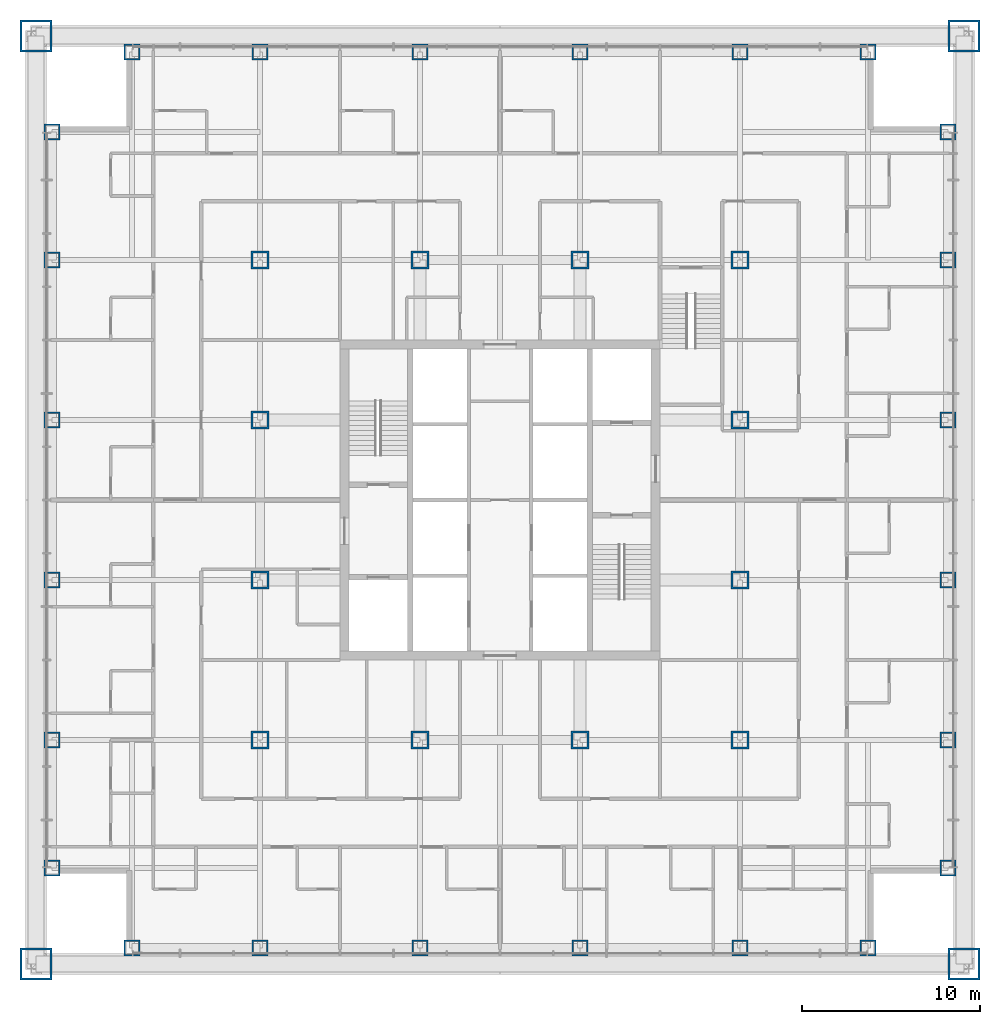
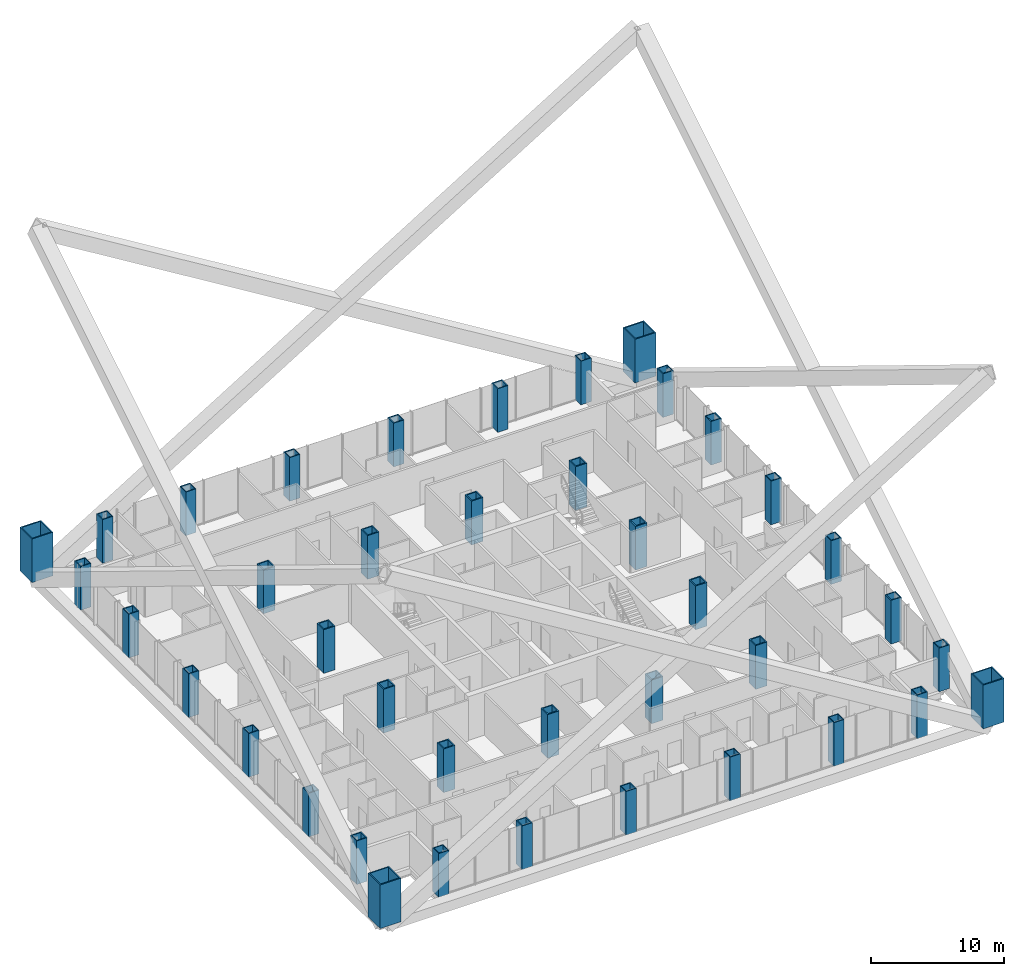
# One storey, part 1 of 21: 40 columns.
"""IFC4 building model written with IfcOpenShell, lengths in metres."""

from ifc_helpers import new_model, si_unit, direction, frame, origin, origin_2d, place, context, subcontext, project, spatial, hollow_rectangle, extrude, material, material_profile, profile_set, type_object, element, save


model = new_model("IFC4")

# Units and contexts
model_context = context("Model", 3, precision=1e-05, world=origin(), true_north=direction((0.0, 1.0)))
body_context = subcontext(model_context, "Body", "Model", "MODEL_VIEW")
ifc_project = project(units=[si_unit("LENGTHUNIT", "METRE"), si_unit("AREAUNIT", "SQUARE_METRE"), si_unit("VOLUMEUNIT", "CUBIC_METRE"), si_unit("PLANEANGLEUNIT", "RADIAN"), si_unit("MASSUNIT", "GRAM", prefix="KILO")], contexts=[model_context])

# Site, building, storey
site_placement = place(None, origin())
site = spatial("IfcSite", under=ifc_project, at=site_placement, CompositionType="ELEMENT")
building_placement = place(site_placement, origin())
building = spatial("IfcBuilding", under=site, at=building_placement, Name="Malebo Sky Hospital", CompositionType="ELEMENT")
storey_placement = place(building_placement, frame((0.0, 0.0, 31.0)))
storey = spatial("IfcBuildingStorey", under=building, at=storey_placement, Name="L06", CompositionType="ELEMENT", Elevation=31.0)

# Columns
ifc_material = material(Name="Steel S460", Category="steel")
ifc_material_profile_1 = material_profile(ifc_material, hollow_rectangle(XDim=1.0, YDim=1.0, WallThickness=0.10009765625, at=origin_2d()), Name="BOX 1000x1000x100")
ifc_profile_set_1 = profile_set([ifc_material_profile_1], Name="Steel S460")
column_type_1 = type_object("IfcColumnType", Name="INNER COLUMN BOX 1000x1000x100", PredefinedType="COLUMN", material=ifc_profile_set_1)
for number, where, z_axis, x_axis, name in (
    (1, (46.5, 48.5, 0.0), (0.0, 0.0, 1.0), (1.0, 0.0, 0.0), "Column IC9 L06"),
    (2, (73.5, 48.5, 0.0), (0.0, 0.0, 1.0), (1.0, 0.0, 0.0), "Column IC9 L06"),
    (3, (73.5, 75.5, 0.0), (0.0, 0.0, 1.0), (1.0, 0.0, 0.0), "Column IC9 L06"),
    (4, (46.5, 75.5, 0.0), (0.0, 0.0, 1.0), (1.0, 0.0, 0.0), "Column IC9 L06"),
    (5, (55.5, 48.5, 0.0), (0.0, 0.0, 1.0), (1.0, 0.0, 0.0), "Column IC9 L06"),
    (6, (64.5, 48.5, 0.0), (0.0, 0.0, 1.0), (1.0, 0.0, 0.0), "Column IC9 L06"),
    (7, (55.5, 75.5, 0.0), (0.0, 0.0, 1.0), (1.0, 0.0, 0.0), "Column IC9 L06"),
    (8, (64.5, 75.5, 0.0), (0.0, 0.0, 1.0), (1.0, 0.0, 0.0), "Column IC9 L06"),
    (9, (46.5, 57.5, 0.0), (0.0, 0.0, 1.0), (1.0, 0.0, 0.0), "Column IC9 L06"),
    (10, (46.5, 66.5, 0.0), (0.0, 0.0, 1.0), (1.0, 0.0, 0.0), "Column IC9 L06"),
    (11, (73.5, 57.5, 0.0), (0.0, 0.0, 1.0), (1.0, 0.0, 0.0), "Column IC9 L06"),
    (12, (73.5, 66.5, 0.0), (0.0, 0.0, 1.0), (1.0, 0.0, 0.0), "Column IC9 L06"),
):
    element("IfcColumn", number, at=place(storey_placement, frame(where, z_axis=z_axis, x_axis=x_axis)), inside=storey, type_object=column_type_1, Name=name, PredefinedType="COLUMN", context=body_context, shape_type="SweptSolid", body=[
        extrude(hollow_rectangle(XDim=1.0, YDim=1.0, WallThickness=0.10009765625, at=origin_2d()), origin(), (0.0, 0.0, 1.0), 4.0),
    ])
ifc_material_profile_2 = material_profile(ifc_material, hollow_rectangle(XDim=1.800048828125, YDim=1.800048828125, WallThickness=0.10009765625, at=origin_2d()), Name="BOX 1800x1800x100")
ifc_profile_set_2 = profile_set([ifc_material_profile_2], Name="Steel S460")
column_type_2 = type_object("IfcColumnType", Name="MEGA COLUMN BOX 1800x1800x100", PredefinedType="COLUMN", material=ifc_profile_set_2)
for number, where, z_axis, x_axis, name in (
    (13, (33.89990234375, 35.89990234375, 0.0), (0.0, 0.0, 1.0), (1.0, 0.0, 0.0), "Mega column SW L06"),
    (14, (86.10009765625, 35.89990234375, 0.0), (0.0, 0.0, 1.0), (1.0, 0.0, 0.0), "Mega column SE L06"),
    (15, (86.10009765625, 88.10009765625, 0.0), (0.0, 0.0, 1.0), (1.0, 0.0, 0.0), "Mega column NE L06"),
    (16, (33.89990234375, 88.10009765625, 0.0), (0.0, 0.0, 1.0), (1.0, 0.0, 0.0), "Mega column NW L06"),
):
    element("IfcColumn", number, at=place(storey_placement, frame(where, z_axis=z_axis, x_axis=x_axis)), inside=storey, type_object=column_type_2, Name=name, PredefinedType="COLUMN", context=body_context, shape_type="SweptSolid", body=[
        extrude(hollow_rectangle(XDim=1.800048828125, YDim=1.800048828125, WallThickness=0.10009765625, at=origin_2d()), origin(), (0.0, 0.0, 1.0), 4.0),
    ])
ifc_material_profile_3 = material_profile(ifc_material, hollow_rectangle(XDim=0.89990234375, YDim=0.89990234375, WallThickness=0.080078125, at=origin_2d()), Name="BOX 900x900x80")
ifc_profile_set_3 = profile_set([ifc_material_profile_3], Name="Steel S460")
column_type_3 = type_object("IfcColumnType", Name="PERIMETER COLUMN BOX 900x900x80", PredefinedType="COLUMN", material=ifc_profile_set_3)
for number, where, z_axis, x_axis, name in (
    (17, (39.300048828125, 36.800048828125, 0.0), (0.0, 0.0, 1.0), (1.0, 0.0, 0.0), "Column PC8 L06"),
    (18, (39.300048828125, 87.199951171875, 0.0), (0.0, 0.0, 1.0), (1.0, 0.0, 0.0), "Column PC8 L06"),
    (19, (34.800048828125, 41.300048828125, 0.0), (0.0, 0.0, 1.0), (1.0, 0.0, 0.0), "Column PC8 L06"),
    (20, (85.199951171875, 41.300048828125, 0.0), (0.0, 0.0, 1.0), (1.0, 0.0, 0.0), "Column PC8 L06"),
    (21, (46.5, 36.800048828125, 0.0), (0.0, 0.0, 1.0), (1.0, 0.0, 0.0), "Column PC8 L06"),
    (22, (46.5, 87.199951171875, 0.0), (0.0, 0.0, 1.0), (1.0, 0.0, 0.0), "Column PC8 L06"),
    (23, (34.800048828125, 48.5, 0.0), (0.0, 0.0, 1.0), (1.0, 0.0, 0.0), "Column PC8 L06"),
    (24, (85.199951171875, 48.5, 0.0), (0.0, 0.0, 1.0), (1.0, 0.0, 0.0), "Column PC8 L06"),
    (25, (55.5, 36.800048828125, 0.0), (0.0, 0.0, 1.0), (1.0, 0.0, 0.0), "Column PC8 L06"),
    (26, (55.5, 87.199951171875, 0.0), (0.0, 0.0, 1.0), (1.0, 0.0, 0.0), "Column PC8 L06"),
    (27, (34.800048828125, 57.5, 0.0), (0.0, 0.0, 1.0), (1.0, 0.0, 0.0), "Column PC8 L06"),
    (28, (85.199951171875, 57.5, 0.0), (0.0, 0.0, 1.0), (1.0, 0.0, 0.0), "Column PC8 L06"),
    (29, (64.5, 36.800048828125, 0.0), (0.0, 0.0, 1.0), (1.0, 0.0, 0.0), "Column PC8 L06"),
    (30, (64.5, 87.199951171875, 0.0), (0.0, 0.0, 1.0), (1.0, 0.0, 0.0), "Column PC8 L06"),
    (31, (34.800048828125, 66.5, 0.0), (0.0, 0.0, 1.0), (1.0, 0.0, 0.0), "Column PC8 L06"),
    (32, (85.199951171875, 66.5, 0.0), (0.0, 0.0, 1.0), (1.0, 0.0, 0.0), "Column PC8 L06"),
    (33, (73.5, 36.800048828125, 0.0), (0.0, 0.0, 1.0), (1.0, 0.0, 0.0), "Column PC8 L06"),
    (34, (73.5, 87.199951171875, 0.0), (0.0, 0.0, 1.0), (1.0, 0.0, 0.0), "Column PC8 L06"),
    (35, (34.800048828125, 75.5, 0.0), (0.0, 0.0, 1.0), (1.0, 0.0, 0.0), "Column PC8 L06"),
    (36, (85.199951171875, 75.5, 0.0), (0.0, 0.0, 1.0), (1.0, 0.0, 0.0), "Column PC8 L06"),
    (37, (80.699951171875, 36.800048828125, 0.0), (0.0, 0.0, 1.0), (1.0, 0.0, 0.0), "Column PC8 L06"),
    (38, (80.699951171875, 87.199951171875, 0.0), (0.0, 0.0, 1.0), (1.0, 0.0, 0.0), "Column PC8 L06"),
    (39, (34.800048828125, 82.699951171875, 0.0), (0.0, 0.0, 1.0), (1.0, 0.0, 0.0), "Column PC8 L06"),
    (40, (85.199951171875, 82.699951171875, 0.0), (0.0, 0.0, 1.0), (1.0, 0.0, 0.0), "Column PC8 L06"),
):
    element("IfcColumn", number, at=place(storey_placement, frame(where, z_axis=z_axis, x_axis=x_axis)), inside=storey, type_object=column_type_3, Name=name, PredefinedType="COLUMN", context=body_context, shape_type="SweptSolid", body=[
        extrude(hollow_rectangle(XDim=0.89990234375, YDim=0.89990234375, WallThickness=0.080078125, at=origin_2d()), origin(), (0.0, 0.0, 1.0), 4.0),
    ])

save(model, "model.ifc")
